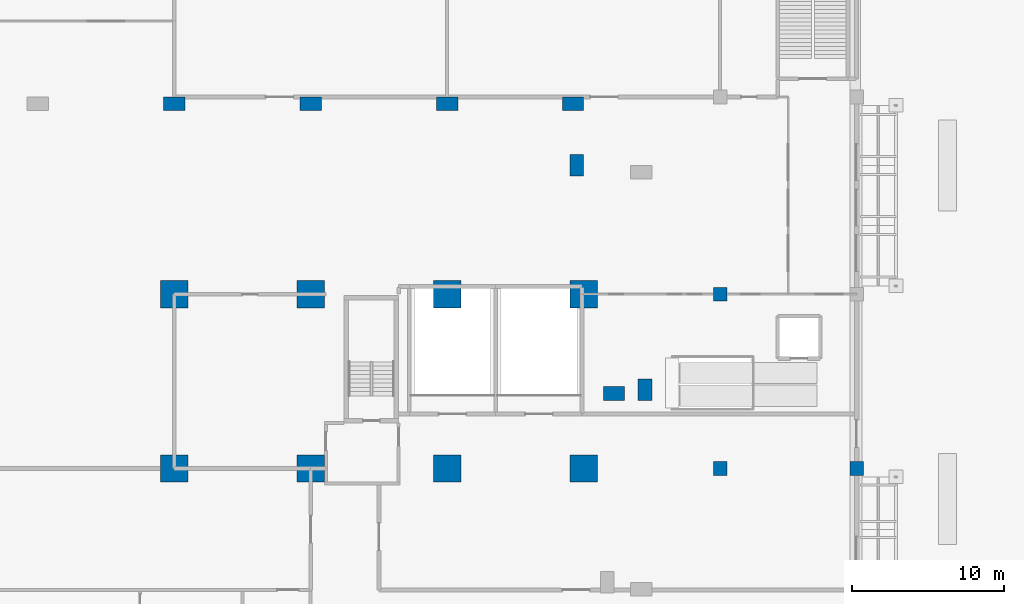
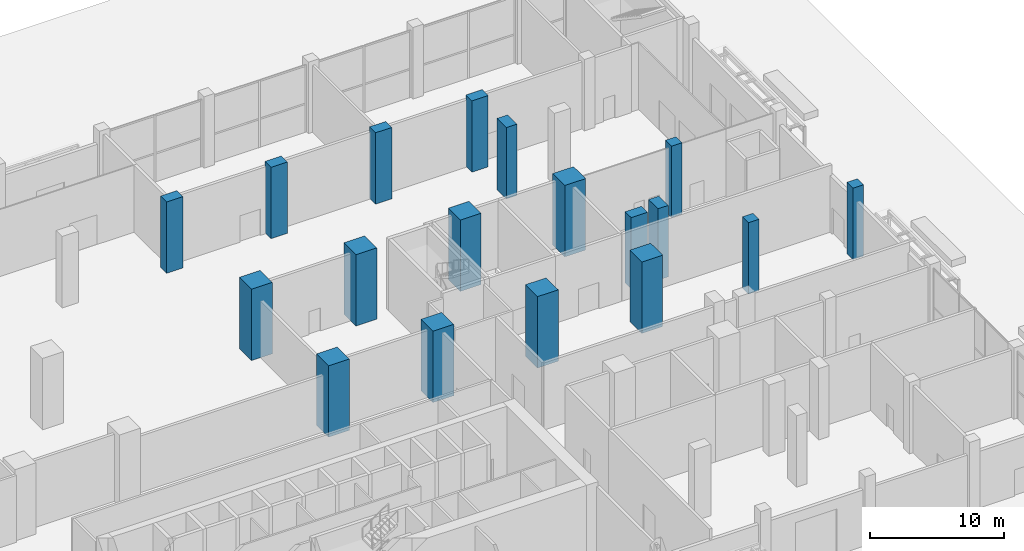
# One storey, part 13 of 39: 18 columns.
"""IFC4 building model written with IfcOpenShell, lengths in metres."""

from ifc_helpers import new_model, si_unit, direction, frame, origin, origin_2d, place, context, subcontext, project, spatial, rectangle, extrude, material, material_profile, profile_set, type_object, element, save


model = new_model("IFC4")

# Units and contexts
model_context = context("Model", 3, precision=1e-05, world=origin(), true_north=direction((0.0, 1.0)))
body_context = subcontext(model_context, "Body", "Model", "MODEL_VIEW")
ifc_project = project(units=[si_unit("LENGTHUNIT", "METRE"), si_unit("AREAUNIT", "SQUARE_METRE"), si_unit("VOLUMEUNIT", "CUBIC_METRE"), si_unit("PLANEANGLEUNIT", "RADIAN"), si_unit("MASSUNIT", "GRAM", prefix="KILO")], contexts=[model_context])

# Site, building, storey
site_placement = place(None, origin())
site = spatial("IfcSite", under=ifc_project, at=site_placement, CompositionType="ELEMENT")
building_placement = place(site_placement, origin())
building = spatial("IfcBuilding", under=site, at=building_placement, Name="Brigalow Station Residences", CompositionType="ELEMENT")
storey_placement = place(building_placement, origin())
storey = spatial("IfcBuildingStorey", under=building, at=storey_placement, Name="L00", CompositionType="ELEMENT", Elevation=0.0)

# Columns
ifc_material_1 = material(Name="Concrete C80", Category="concrete")
ifc_material_profile_1 = material_profile(ifc_material_1, rectangle(XDim=1.800048828125, YDim=1.800048828125, at=origin_2d()), Name="RC1800x1800")
ifc_profile_set_1 = profile_set([ifc_material_profile_1], Name="Concrete C80")
column_type_1 = type_object("IfcColumnType", Name="COLUMN 1800x1800 C80", PredefinedType="COLUMN", material=ifc_profile_set_1)
for number, where, z_axis, x_axis, name in (
    (1, (45.0, 24.0, 0.0), (0.0, 0.0, 1.0), (1.0, 0.0, 0.0), "COLUMN C5 L00"),
    (2, (45.0, 35.5, 0.0), (0.0, 0.0, 1.0), (1.0, 0.0, 0.0), "COLUMN D5 L00"),
    (3, (54.0, 24.0, 0.0), (0.0, 0.0, 1.0), (1.0, 0.0, 0.0), "COLUMN C6 L00"),
    (4, (54.0, 35.5, 0.0), (0.0, 0.0, 1.0), (1.0, 0.0, 0.0), "COLUMN D6 L00"),
    (5, (63.0, 24.0, 0.0), (0.0, 0.0, 1.0), (1.0, 0.0, 0.0), "COLUMN C7 L00"),
    (6, (63.0, 35.5, 0.0), (0.0, 0.0, 1.0), (1.0, 0.0, 0.0), "COLUMN D7 L00"),
    (7, (72.0, 24.0, 0.0), (0.0, 0.0, 1.0), (1.0, 0.0, 0.0), "COLUMN C8 L00"),
    (8, (72.0, 35.5, 0.0), (0.0, 0.0, 1.0), (1.0, 0.0, 0.0), "COLUMN D8 L00"),
):
    element("IfcColumn", number, at=place(storey_placement, frame(where, z_axis=z_axis, x_axis=x_axis)), inside=storey, type_object=column_type_1, Name=name, PredefinedType="COLUMN", context=body_context, shape_type="SweptSolid", body=[
        extrude(rectangle(XDim=1.800048828125, YDim=1.800048828125, at=origin_2d()), origin(), (0.0, 0.0, 1.0), 6.5),
    ])
ifc_material_2 = material(Name="Concrete C50", Category="concrete")
ifc_material_profile_2 = material_profile(ifc_material_2, rectangle(XDim=0.89990234375, YDim=0.89990234375, at=origin_2d()), Name="RC900x900")
ifc_profile_set_2 = profile_set([ifc_material_profile_2], Name="Concrete C50")
column_type_2 = type_object("IfcColumnType", Name="COLUMN 900x900 C50", PredefinedType="COLUMN", material=ifc_profile_set_2)
for number, where, z_axis, x_axis, name in (
    (9, (81.0, 24.0, 0.0), (0.0, 0.0, 1.0), (1.0, 0.0, 0.0), "COLUMN C9 L00"),
    (10, (81.0, 35.5, 0.0), (0.0, 0.0, 1.0), (1.0, 0.0, 0.0), "COLUMN D9 L00"),
    (11, (90.0, 24.0, 0.0), (0.0, 0.0, 1.0), (1.0, 0.0, 0.0), "COLUMN C10 L00"),
):
    element("IfcColumn", number, at=place(storey_placement, frame(where, z_axis=z_axis, x_axis=x_axis)), inside=storey, type_object=column_type_2, Name=name, PredefinedType="COLUMN", context=body_context, shape_type="SweptSolid", body=[
        extrude(rectangle(XDim=0.89990234375, YDim=0.89990234375, at=origin_2d()), origin(), (0.0, 0.0, 1.0), 6.5),
    ])
ifc_material_3 = material(Name="Concrete C80", Category="concrete")
ifc_material_profile_3 = material_profile(ifc_material_3, rectangle(XDim=1.39990234375, YDim=0.89990234375, at=origin_2d()), Name="RC1400x900")
ifc_profile_set_3 = profile_set([ifc_material_profile_3], Name="Concrete C80")
column_type_3 = type_object("IfcColumnType", Name="PIER 1400x900 C80", PredefinedType="USERDEFINED", material=ifc_profile_set_3)
for number, where, z_axis, x_axis, name in (
    (12, (74.0, 28.949951171875, 0.0), (0.0, 0.0, 1.0), (1.0, 0.0, 0.0), "PIER EL3-1 L00"),
    (13, (76.050048828125, 29.199951171875, 0.0), (0.0, 0.0, 1.0), (0.0, 1.0, 0.0), "PIER E2-1 L00"),
    (14, (71.550048828125, 44.0, 0.0), (0.0, 0.0, 1.0), (0.0, 1.0, 0.0), "PIER NE2-1 L00"),
    (15, (71.300048828125, 48.050048828125, 0.0), (0.0, 0.0, 1.0), (-1.0, 0.0, 0.0), "PIER N-1 L00"),
    (16, (63.0, 48.050048828125, 0.0), (0.0, 0.0, 1.0), (-1.0, 0.0, 0.0), "PIER N-3 L00"),
    (17, (54.0, 48.050048828125, 0.0), (0.0, 0.0, 1.0), (-1.0, 0.0, 0.0), "PIER N-5 L00"),
    (18, (45.0, 48.050048828125, 0.0), (0.0, 0.0, 1.0), (-1.0, 0.0, 0.0), "PIER N-7 L00"),
):
    element("IfcColumn", number, at=place(storey_placement, frame(where, z_axis=z_axis, x_axis=x_axis)), inside=storey, type_object=column_type_3, Name=name, ObjectType="PIER", PredefinedType="USERDEFINED", context=body_context, shape_type="SweptSolid", body=[
        extrude(rectangle(XDim=1.39990234375, YDim=0.89990234375, at=origin_2d()), origin(), (0.0, 0.0, 1.0), 6.5),
    ])

save(model, "model.ifc")
